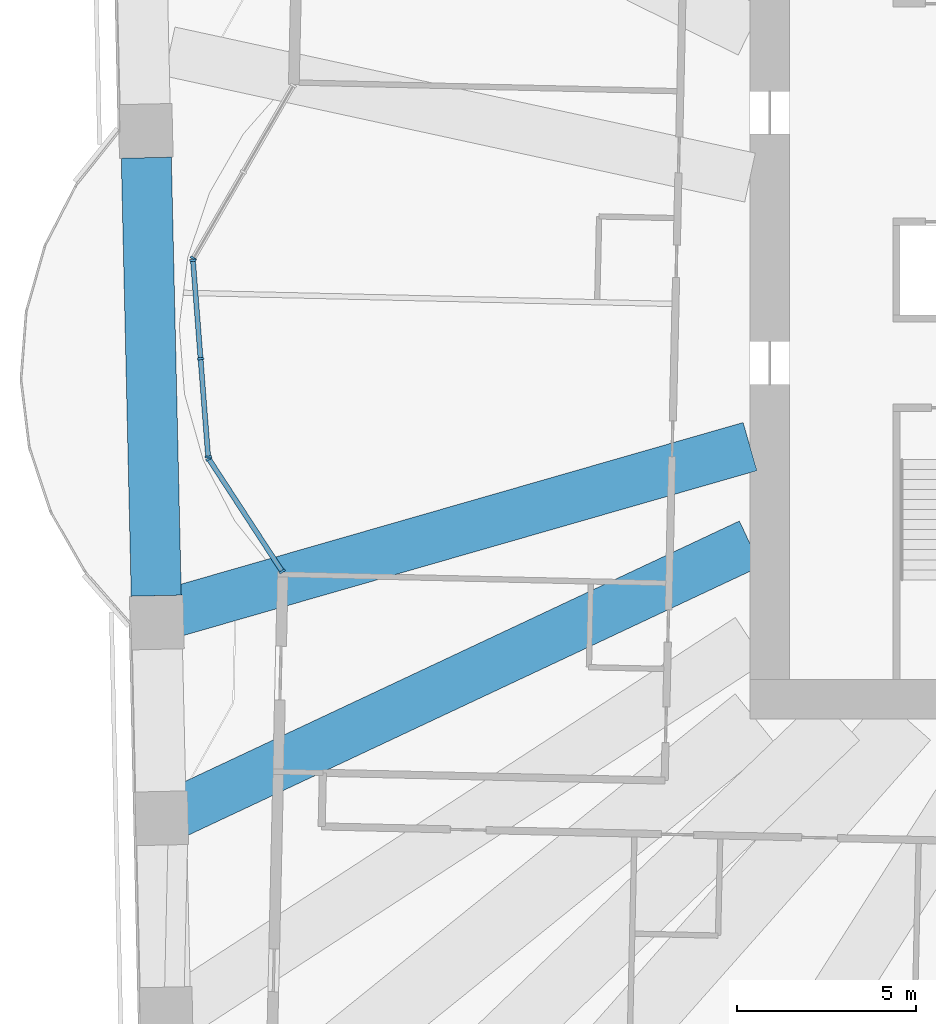
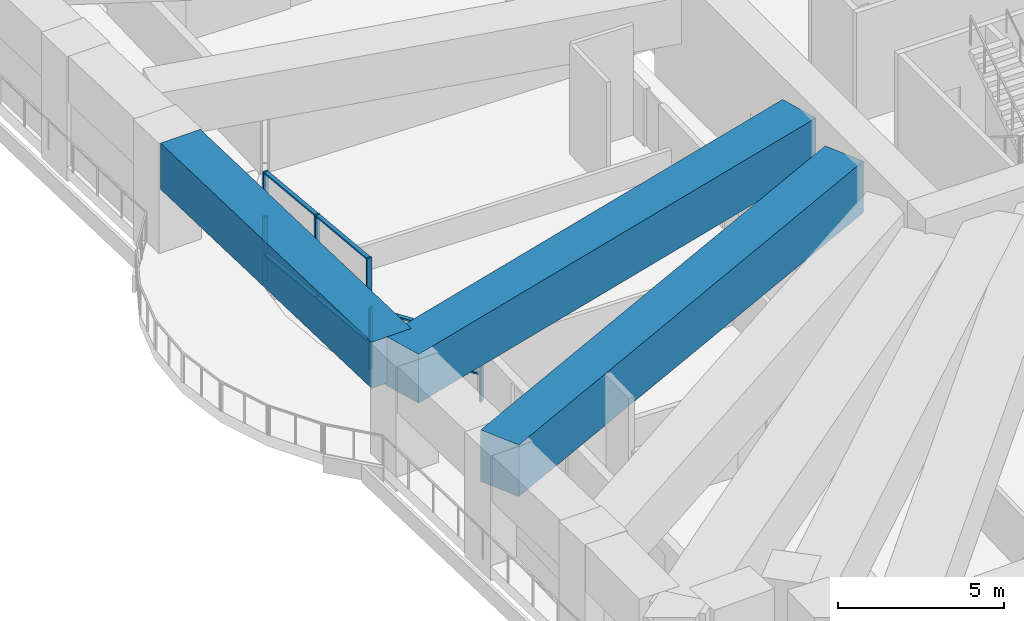
# One storey, part 2 of 20: 12 members, 3 beams, 3 elements without a shape of their own.
"""IFC4 building model written with IfcOpenShell, lengths in metres."""

from ifc_helpers import new_model, si_unit, direction, frame, origin, origin_2d, place, context, subcontext, project, spatial, rectangle, extrude, material, material_profile, profile_set, type_object, element, aggregate, save


model = new_model("IFC4")

# Units and contexts
model_context = context("Model", 3, precision=1e-05, world=origin(), true_north=direction((0.0, 1.0)))
body_context = subcontext(model_context, "Body", "Model", "MODEL_VIEW")
ifc_project = project(units=[si_unit("LENGTHUNIT", "METRE"), si_unit("AREAUNIT", "SQUARE_METRE"), si_unit("VOLUMEUNIT", "CUBIC_METRE"), si_unit("PLANEANGLEUNIT", "RADIAN"), si_unit("MASSUNIT", "GRAM", prefix="KILO")], contexts=[model_context])

# Site, building, storey
site_placement = place(None, origin())
site = spatial("IfcSite", under=ifc_project, at=site_placement, CompositionType="ELEMENT")
building_placement = place(site_placement, origin())
building = spatial("IfcBuilding", under=site, at=building_placement, Name="Mangrove Gate Tower", CompositionType="ELEMENT")
storey_placement = place(building_placement, frame((0.0, 0.0, 52.10009765625)))
storey = spatial("IfcBuildingStorey", under=building, at=storey_placement, Name="L12", CompositionType="ELEMENT", Elevation=52.10009765625)

# Curtain wall, member
ifc_material_1 = material(Name="Aluminium and glass curtain wall", Category="aluminium")
curtain_wall_type = type_object("IfcCurtainWallType", Name="Sky-lounge glazing wall", PredefinedType="NOTDEFINED", material=ifc_material_1)
curtain_wall_1_placement = place(storey_placement, origin())
curtain_wall_1 = element("IfcCurtainWall", 1, at=curtain_wall_1_placement, inside=storey, type_object=curtain_wall_type, Name="Sky-lounge glazing W9f1", PredefinedType="NOTDEFINED")
ifc_material_2 = material(Name="Aluminium alloy 6063-T6", Category="aluminium")
ifc_material_profile_1 = material_profile(ifc_material_2, rectangle(XDim=0.06005859375, YDim=0.179931640625, at=origin_2d()))
ifc_profile_set_1 = profile_set([ifc_material_profile_1], Name="Aluminium alloy 6063-T6")
member_type_1 = type_object("IfcMemberType", Name="Sky-lounge glazing mullion 60x180", PredefinedType="MULLION", material=ifc_profile_set_1)
member_1_placement = place(storey_placement, frame((-30.4638671875, 0.977783203125, 0.0), z_axis=(0.0, 0.0, 1.0), x_axis=(-0.500418160359, -0.865783844145, 0.0)))
member_1 = element("IfcMember", 2, at=member_1_placement, type_object=member_type_1, Name="CWK mullion 3", PredefinedType="MULLION", context=body_context, shape_type="SweptSolid", body=[
    extrude(rectangle(XDim=0.06005859375, YDim=0.179931640625, at=origin_2d()), origin(), (0.0, 0.0, 1.0), 2.349853515625),
])
aggregate(curtain_wall_1, [member_1])

# Curtain wall, members
curtain_wall_2_placement = place(storey_placement, origin())
curtain_wall_2 = element("IfcCurtainWall", 3, at=curtain_wall_2_placement, inside=storey, type_object=curtain_wall_type, Name="Sky-lounge glazing W9f2", PredefinedType="NOTDEFINED")
member_2_placement = place(storey_placement, frame((-30.4765625, 0.921875, 0.0), z_axis=(0.0, 0.0, 1.0), x_axis=(0.077023348212, -0.997029289354, 0.0)))
member_2 = element("IfcMember", 4, at=member_2_placement, type_object=member_type_1, Name="CWK mullion 1", PredefinedType="MULLION", context=body_context, shape_type="SweptSolid", body=[
    extrude(rectangle(XDim=0.06005859375, YDim=0.179931640625, at=origin_2d()), origin(), (0.0, 0.0, 1.0), 4.0498046875),
])
member_3_placement = place(storey_placement, frame((-30.26416015625, -1.82666015625, 0.0), z_axis=(0.0, 0.0, 1.0), x_axis=(0.077023348212, -0.997029289354, 0.0)))
member_3 = element("IfcMember", 5, at=member_3_placement, type_object=member_type_1, Name="CWK mullion 2", PredefinedType="MULLION", context=body_context, shape_type="SweptSolid", body=[
    extrude(rectangle(XDim=0.06005859375, YDim=0.179931640625, at=origin_2d()), origin(), (0.0, 0.0, 1.0), 4.0498046875),
])
member_4_placement = place(storey_placement, frame((-30.052001953125, -4.5751953125, 0.0), z_axis=(0.0, 0.0, 1.0), x_axis=(0.077023348212, -0.997029289354, 0.0)))
member_4 = element("IfcMember", 6, at=member_4_placement, type_object=member_type_1, Name="CWK mullion 3", PredefinedType="MULLION", context=body_context, shape_type="SweptSolid", body=[
    extrude(rectangle(XDim=0.06005859375, YDim=0.179931640625, at=origin_2d()), origin(), (0.0, 0.0, 1.0), 4.0498046875),
])

curtain_wall_3_placement = place(storey_placement, origin())
curtain_wall_3 = element("IfcCurtainWall", 7, at=curtain_wall_3_placement, inside=storey, type_object=curtain_wall_type, Name="Sky-lounge glazing W9f3", PredefinedType="NOTDEFINED")
member_5_placement = place(storey_placement, frame((-30.033203125, -4.630126953125, 0.0), z_axis=(0.0, 0.0, 1.0), x_axis=(0.546235085162, -0.837631919006, 0.0)))
member_5 = element("IfcMember", 8, at=member_5_placement, type_object=member_type_1, Name="CWK mullion 1", PredefinedType="MULLION", context=body_context, shape_type="SweptSolid", body=[
    extrude(rectangle(XDim=0.06005859375, YDim=0.179931640625, at=origin_2d()), origin(), (0.0, 0.0, 1.0), 2.25),
])
member_6_placement = place(storey_placement, frame((-27.9814453125, -7.7763671875, 0.0), z_axis=(0.0, 0.0, 1.0), x_axis=(0.546235085162, -0.837631919006, 0.0)))
member_6 = element("IfcMember", 9, at=member_6_placement, type_object=member_type_1, Name="CWK mullion 2", PredefinedType="MULLION", context=body_context, shape_type="SweptSolid", body=[
    extrude(rectangle(XDim=0.06005859375, YDim=0.179931640625, at=origin_2d()), origin(), (0.0, 0.0, 1.0), 2.25),
])

# Member
ifc_material_3 = material(Name="Aluminium alloy 6063-T6", Category="aluminium")
ifc_material_profile_2 = material_profile(ifc_material_3, rectangle(XDim=0.06005859375, YDim=0.139892578125, at=origin_2d()))
ifc_profile_set_2 = profile_set([ifc_material_profile_2], Name="Aluminium alloy 6063-T6")
member_type_2 = type_object("IfcMemberType", Name="Sky-lounge glazing transom 60x140", PredefinedType="USERDEFINED", material=ifc_profile_set_2)
member_7_placement = place(storey_placement, frame((-30.474365234375, 0.89208984375, 1.0), z_axis=(0.077042645639, -0.997027798385, 0.0), x_axis=(0.0, 0.0, 1.0)))
member_7 = element("IfcMember", 10, at=member_7_placement, type_object=member_type_2, Name="CWK transom 1.2", ObjectType="TRANSOM", PredefinedType="USERDEFINED", context=body_context, shape_type="SweptSolid", body=[
    extrude(rectangle(XDim=0.06005859375, YDim=0.139892578125, at=origin_2d()), origin(), (0.0, 0.0, 1.0), 2.69677734375),
])

member_8_placement = place(storey_placement, frame((-30.474365234375, 0.89208984375, 4.02001953125), z_axis=(0.077042645639, -0.997027798385, 0.0), x_axis=(0.0, 0.0, 1.0)))
member_8 = element("IfcMember", 11, at=member_8_placement, type_object=member_type_2, Name="CWK transom 1.3", ObjectType="TRANSOM", PredefinedType="USERDEFINED", context=body_context, shape_type="SweptSolid", body=[
    extrude(rectangle(XDim=0.06005859375, YDim=0.139892578125, at=origin_2d()), origin(), (0.0, 0.0, 1.0), 2.69677734375),
])

member_9_placement = place(storey_placement, frame((-30.261962890625, -1.8564453125, 1.0), z_axis=(0.077042645639, -0.997027798385, 0.0), x_axis=(0.0, 0.0, 1.0)))
member_9 = element("IfcMember", 12, at=member_9_placement, type_object=member_type_2, Name="CWK transom 2.2", ObjectType="TRANSOM", PredefinedType="USERDEFINED", context=body_context, shape_type="SweptSolid", body=[
    extrude(rectangle(XDim=0.06005859375, YDim=0.139892578125, at=origin_2d()), origin(), (0.0, 0.0, 1.0), 2.69677734375),
])

member_10_placement = place(storey_placement, frame((-30.261962890625, -1.8564453125, 4.02001953125), z_axis=(0.077042645639, -0.997027798385, 0.0), x_axis=(0.0, 0.0, 1.0)))
member_10 = element("IfcMember", 13, at=member_10_placement, type_object=member_type_2, Name="CWK transom 2.3", ObjectType="TRANSOM", PredefinedType="USERDEFINED", context=body_context, shape_type="SweptSolid", body=[
    extrude(rectangle(XDim=0.06005859375, YDim=0.139892578125, at=origin_2d()), origin(), (0.0, 0.0, 1.0), 2.69677734375),
])

aggregate(curtain_wall_2, [member_2, member_3, member_4, member_7, member_8, member_9, member_10])

member_11_placement = place(storey_placement, frame((-30.016845703125, -4.6552734375, 1.0), z_axis=(0.546211360714, -0.837647389674, 0.0), x_axis=(0.0, 0.0, 1.0)))
member_11 = element("IfcMember", 14, at=member_11_placement, type_object=member_type_2, Name="CWK transom 1.2", ObjectType="TRANSOM", PredefinedType="USERDEFINED", context=body_context, shape_type="SweptSolid", body=[
    extrude(rectangle(XDim=0.06005859375, YDim=0.139892578125, at=origin_2d()), origin(), (0.0, 0.0, 1.0), 3.696044921875),
])

member_12_placement = place(storey_placement, frame((-30.016845703125, -4.6552734375, 2.219970703125), z_axis=(0.546211360714, -0.837647389674, 0.0), x_axis=(0.0, 0.0, 1.0)))
member_12 = element("IfcMember", 15, at=member_12_placement, type_object=member_type_2, Name="CWK transom 1.3", ObjectType="TRANSOM", PredefinedType="USERDEFINED", context=body_context, shape_type="SweptSolid", body=[
    extrude(rectangle(XDim=0.06005859375, YDim=0.139892578125, at=origin_2d()), origin(), (0.0, 0.0, 1.0), 3.696044921875),
])

aggregate(curtain_wall_3, [member_5, member_6, member_11, member_12])

# Beams
ifc_material_4 = material(Name="Concrete C70/85", Category="concrete")
ifc_material_profile_3 = material_profile(ifc_material_4, rectangle(XDim=1.39990234375, YDim=1.699951171875, at=origin_2d()))
ifc_profile_set_3 = profile_set([ifc_material_profile_3], Name="Concrete C70/85")
beam_type_1 = type_object("IfcBeamType", Name="Transfer girder RC 1400x1700 C70/85", PredefinedType="BEAM", material=ifc_profile_set_3)
beam_1_placement = place(storey_placement, frame((-31.78125, 3.792236328125, 3.199951171875), z_axis=(0.022699223056, -0.999742339442, 0.0), x_axis=(0.999742339442, 0.022699223056, 0.0)))
element("IfcBeam", 16, at=beam_1_placement, inside=storey, type_object=beam_type_1, Name="Transfer ring girder L12 36", PredefinedType="BEAM", context=body_context, shape_type="SweptSolid", body=[
    extrude(rectangle(XDim=1.39990234375, YDim=1.699951171875, at=origin_2d()), origin(), (0.0, 0.0, 1.0), 12.25048828125),
])
ifc_material_5 = material(Name="Concrete C70/85", Category="concrete")
ifc_material_profile_4 = material_profile(ifc_material_5, rectangle(XDim=1.39990234375, YDim=1.800048828125, at=origin_2d()))
ifc_profile_set_4 = profile_set([ifc_material_profile_4], Name="Concrete C70/85")
beam_type_2 = type_object("IfcBeamType", Name="Transfer girder RC 1400x1800 C70/85", PredefinedType="BEAM", material=ifc_profile_set_4)
beam_2_placement = place(storey_placement, frame((-14.89990234375, -4.284912109375, 3.14990234375), z_axis=(-0.961046437559, -0.276386947694, 0.0), x_axis=(0.276386947694, -0.961046437559, 0.0)))
element("IfcBeam", 17, at=beam_2_placement, inside=storey, type_object=beam_type_2, Name="Transfer girder L12 00", PredefinedType="BEAM", context=body_context, shape_type="SweptSolid", body=[
    extrude(rectangle(XDim=1.39990234375, YDim=1.800048828125, at=origin_2d()), origin(), (0.0, 0.0, 1.0), 17.261962890625),
])
ifc_material_6 = material(Name="Concrete C70/85", Category="concrete")
ifc_material_profile_5 = material_profile(ifc_material_6, rectangle(XDim=1.39990234375, YDim=1.89990234375, at=origin_2d()))
ifc_profile_set_5 = profile_set([ifc_material_profile_5], Name="Concrete C70/85")
beam_type_3 = type_object("IfcBeamType", Name="Transfer girder RC 1400x1900 C70/85", PredefinedType="BEAM", material=ifc_profile_set_5)
beam_3_placement = place(storey_placement, frame((-14.89990234375, -6.999755859375, 3.099853515625), z_axis=(-0.905105076179, -0.425187959702, 0.0), x_axis=(0.425187959702, -0.905105076179, 0.0)))
element("IfcBeam", 18, at=beam_3_placement, inside=storey, type_object=beam_type_3, Name="Transfer girder L12 01", PredefinedType="BEAM", context=body_context, shape_type="SweptSolid", body=[
    extrude(rectangle(XDim=1.39990234375, YDim=1.89990234375, at=origin_2d()), origin(), (0.0, 0.0, 1.0), 18.18701171875),
])

save(model, "model.ifc")
